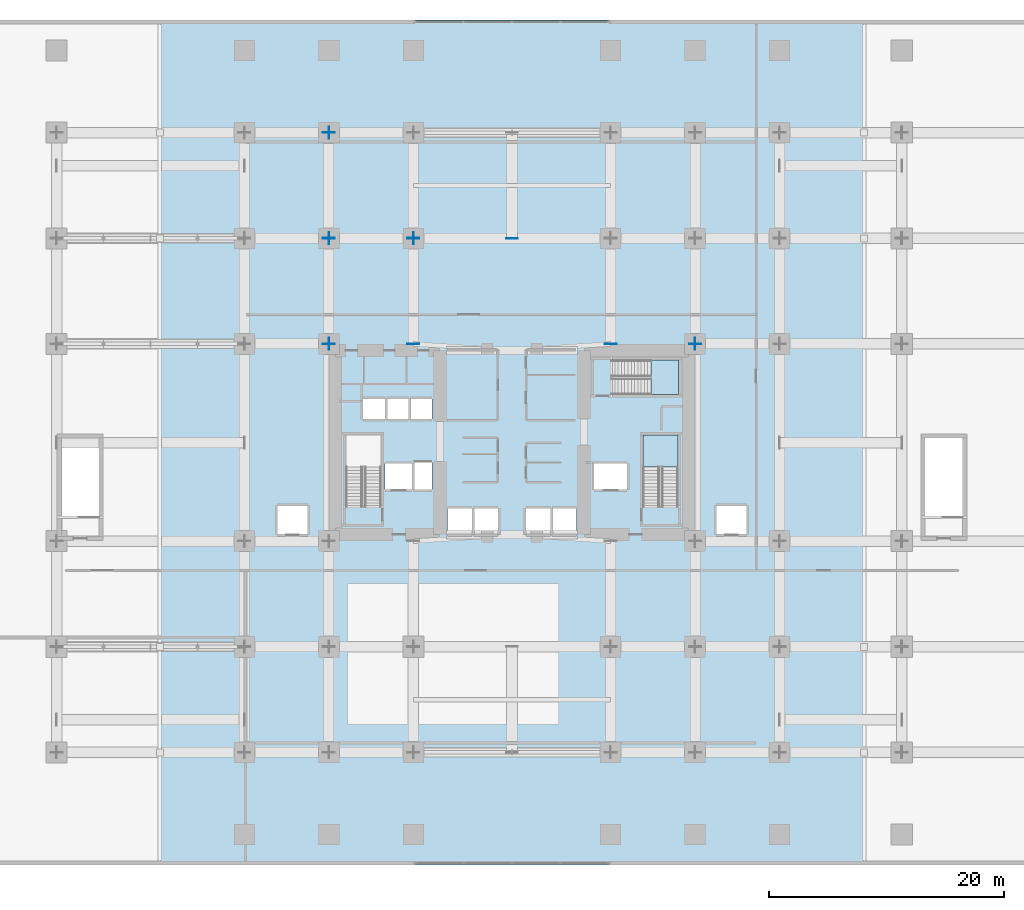
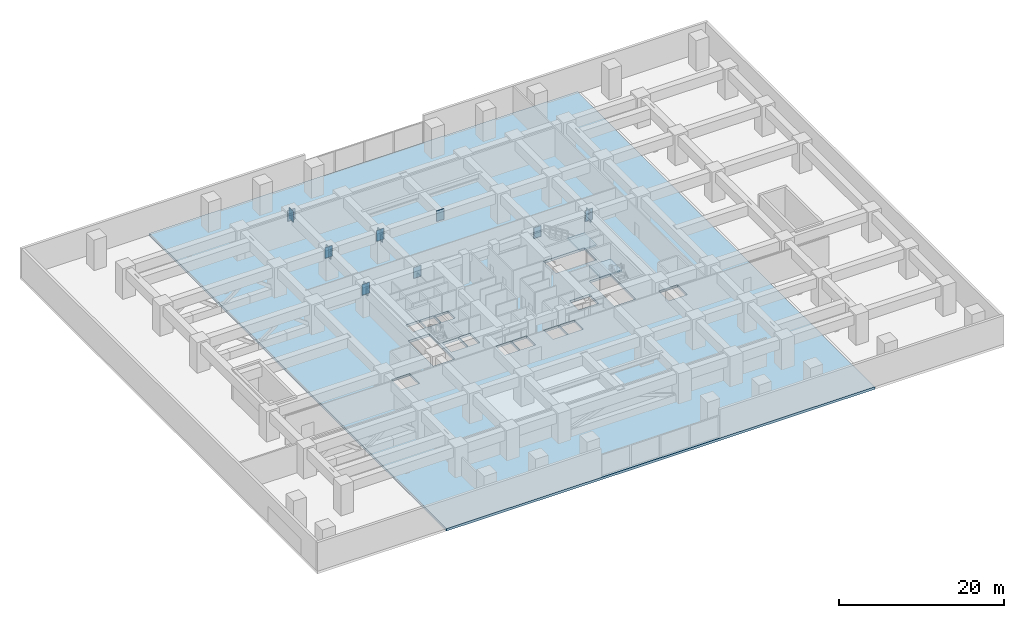
# One storey, part 10 of 25: 20 plates, 3 slabs, 2 elements without a shape of their own.
"""IFC4 building model written with IfcOpenShell, lengths in metres."""

from ifc_helpers import new_model, si_unit, direction, frame, origin, origin_2d, place, context, subcontext, project, spatial, polyline, rectangle, outline, extrude, material, layer, layer_set, type_object, element, aggregate, save


model = new_model("IFC4")

# Units and contexts
model_context = context("Model", 3, precision=1e-05, world=origin(), true_north=direction((0.0, 1.0)))
body_context = subcontext(model_context, "Body", "Model", "MODEL_VIEW")
ifc_project = project(units=[si_unit("LENGTHUNIT", "METRE"), si_unit("AREAUNIT", "SQUARE_METRE"), si_unit("VOLUMEUNIT", "CUBIC_METRE"), si_unit("PLANEANGLEUNIT", "RADIAN"), si_unit("MASSUNIT", "GRAM", prefix="KILO")], contexts=[model_context])

# Site, building, storey
site_placement = place(None, origin())
site = spatial("IfcSite", under=ifc_project, at=site_placement, CompositionType="ELEMENT")
building_placement = place(site_placement, origin())
building = spatial("IfcBuilding", under=site, at=building_placement, Name="Kiyonajd Concourse Tower", CompositionType="ELEMENT")
storey_placement = place(building_placement, frame((0.0, 0.0, 17.10009765625)))
storey = spatial("IfcBuildingStorey", under=building, at=storey_placement, Name="L05", CompositionType="ELEMENT", Elevation=17.10009765625)

# Plates
ifc_material_1 = material(Name="Steel ASTM A572 Grade 50", Category="steel")
ifc_layer_1 = layer(ifc_material_1, 0.031982421875)
ifc_layer_set_1 = layer_set([ifc_layer_1], Name="Steel ASTM A572 Grade 50")
plate_type = type_object("IfcPlateType", Name="PL-CAP-540", PredefinedType="USERDEFINED", material=ifc_layer_set_1)
for number, where, z_axis, x_axis, name in (
    (1, (48.0, 53.388916015625, 2.7197265625), (0.0, 0.0, 1.0), (0.0, -1.0, 0.0), "L05 Transfer Box Cap Plate"),
    (2, (32.410888671875, 44.39990234375, 2.7197265625), (0.0, 0.0, 1.0), (1.0, 0.0, 0.0), "L05 Welded Box Girder End Cap"),
    (3, (63.589111328125, 44.39990234375, 2.7197265625), (0.0, 0.0, 1.0), (-1.0, 0.0, 0.0), "L05 Welded Box Girder End Cap"),
    (4, (32.410888671875, 53.39990234375, 2.7197265625), (0.0, 0.0, 1.0), (1.0, 0.0, 0.0), "L05 Welded Box Girder End Cap"),
    (5, (32.388916015625, 53.39990234375, 2.7197265625), (0.0, 0.0, 1.0), (-1.0, 0.0, 0.0), "L05 Welded Box Girder End Cap"),
    (6, (39.611083984375, 53.39990234375, 2.7197265625), (0.0, 0.0, 1.0), (1.0, 0.0, 0.0), "L05 Welded Box Girder End Cap"),
    (7, (39.589111328125, 53.39990234375, 2.7197265625), (0.0, 0.0, 1.0), (-1.0, 0.0, 0.0), "L05 Welded Box Girder End Cap"),
    (8, (32.410888671875, 62.39990234375, 2.7197265625), (0.0, 0.0, 1.0), (1.0, 0.0, 0.0), "L05 Welded Box Girder End Cap"),
    (9, (32.388916015625, 62.39990234375, 2.7197265625), (0.0, 0.0, 1.0), (-1.0, 0.0, 0.0), "L05 Welded Box Girder End Cap"),
    (10, (32.39990234375, 44.410888671875, 2.7197265625), (0.0, 0.0, 1.0), (0.0, 1.0, 0.0), "L05 Welded Box Girder End Cap"),
    (11, (32.39990234375, 44.388916015625, 2.7197265625), (0.0, 0.0, 1.0), (0.0, -1.0, 0.0), "L05 Welded Box Girder End Cap"),
    (12, (32.39990234375, 53.410888671875, 2.7197265625), (0.0, 0.0, 1.0), (0.0, 1.0, 0.0), "L05 Welded Box Girder End Cap"),
    (13, (32.39990234375, 53.388916015625, 2.7197265625), (0.0, 0.0, 1.0), (0.0, -1.0, 0.0), "L05 Welded Box Girder End Cap"),
    (14, (32.39990234375, 62.410888671875, 2.7197265625), (0.0, 0.0, 1.0), (0.0, 1.0, 0.0), "L05 Welded Box Girder End Cap"),
    (15, (39.60009765625, 44.388916015625, 2.7197265625), (0.0, 0.0, 1.0), (0.0, -1.0, 0.0), "L05 Welded Box Girder End Cap"),
    (16, (39.60009765625, 53.410888671875, 2.7197265625), (0.0, 0.0, 1.0), (0.0, 1.0, 0.0), "L05 Welded Box Girder End Cap"),
    (17, (39.60009765625, 53.388916015625, 2.7197265625), (0.0, 0.0, 1.0), (0.0, -1.0, 0.0), "L05 Welded Box Girder End Cap"),
    (18, (56.39990234375, 44.388916015625, 2.7197265625), (0.0, 0.0, 1.0), (0.0, -1.0, 0.0), "L05 Welded Box Girder End Cap"),
    (19, (63.60009765625, 44.410888671875, 2.7197265625), (0.0, 0.0, 1.0), (0.0, 1.0, 0.0), "L05 Welded Box Girder End Cap"),
    (20, (63.60009765625, 44.388916015625, 2.7197265625), (0.0, 0.0, 1.0), (0.0, -1.0, 0.0), "L05 Welded Box Girder End Cap"),
):
    element("IfcPlate", number, at=place(storey_placement, frame(where, z_axis=z_axis, x_axis=x_axis)), inside=storey, type_object=plate_type, Name=name, ObjectType="CAP PLATE", PredefinedType="USERDEFINED", context=body_context, shape_type="SweptSolid", body=[
        extrude(rectangle(XDim=0.035888671875, YDim=1.02001953125, at=origin_2d()), origin(), (0.0, 0.0, 1.0), 1.590087890625),
    ])

# Stair, slab
ifc_material_2 = material(Name="Concrete C40/50", Category="concrete")
stair_type = type_object("IfcStairType", Name="ST-DLG-26R", PredefinedType="HALF_TURN_STAIR", material=ifc_material_2)
stair_1_placement = place(storey_placement, origin())
stair_1 = element("IfcStair", 21, at=stair_1_placement, inside=storey, type_object=stair_type, Name="L05 Protected Exit Stair ST2", PredefinedType="HALF_TURN_STAIR")
ifc_layer_2 = layer(ifc_material_2, 0.199951171875)
ifc_layer_set_2 = layer_set([ifc_layer_2], Name="Concrete C40/50")
slab_type_1 = type_object("IfcSlabType", Name="SL-LND-200", PredefinedType="LANDING", material=ifc_layer_set_2)
slab_1_placement = place(storey_placement, frame((0.0, 0.0, 2.0498046875)))
slab_1 = element("IfcSlab", 22, at=slab_1_placement, type_object=slab_type_1, Name="ST2 landing 1", PredefinedType="LANDING", context=body_context, shape_type="SweptSolid", body=[
    extrude(outline(polyline([(62.14990234375, 33.909912109375), (62.14990234375, 36.64990234375), (59.14990234375, 36.64990234375), (59.14990234375, 33.909912109375), (62.14990234375, 33.909912109375)])), origin(), (0.0, 0.0, 1.0), 0.2001953125),
])
aggregate(stair_1, [slab_1])

stair_2_placement = place(storey_placement, origin())
stair_2 = element("IfcStair", 23, at=stair_2_placement, inside=storey, type_object=stair_type, Name="L05 Protected Exit Stair ST3", PredefinedType="HALF_TURN_STAIR")
slab_2_placement = place(storey_placement, frame((0.0, 0.0, 2.0498046875)))
slab_2 = element("IfcSlab", 24, at=slab_2_placement, type_object=slab_type_1, Name="ST3 landing 1", PredefinedType="LANDING", context=body_context, shape_type="SweptSolid", body=[
    extrude(outline(polyline([(59.840087890625, 40.080078125), (62.179931640625, 40.080078125), (62.179931640625, 43.02001953125), (59.840087890625, 43.02001953125), (59.840087890625, 40.080078125)])), origin(), (0.0, 0.0, 1.0), 0.2001953125),
])
aggregate(stair_2, [slab_2])

# Slab
ifc_material_3 = material(Name="Concrete C50/60", Category="concrete")
ifc_layer_3 = layer(ifc_material_3, 0.360107421875)
ifc_layer_set_3 = layer_set([ifc_layer_3], Name="Concrete C50/60")
slab_type_2 = type_object("IfcSlabType", Name="SL-XFER-360", PredefinedType="FLOOR", material=ifc_layer_set_3)
slab_3_placement = place(storey_placement, frame((0.0, 0.0, -0.360107421875)))
element("IfcSlab", 25, at=slab_3_placement, inside=storey, type_object=slab_type_2, Name="L05 Central Tower Zone Podium Structural Floor Slab", PredefinedType="FLOOR", context=body_context, shape_type="SweptSolid", body=[
    extrude(outline(polyline([(18.06005859375, 0.0), (77.93994140625, 0.0), (77.93994140625, 72.0), (18.06005859375, 72.0), (18.06005859375, 0.0)]), holes=[polyline([(42.5, 28.199951171875), (42.5, 30.39990234375), (44.60009765625, 30.39990234375), (44.60009765625, 28.199951171875), (42.5, 28.199951171875)]), polyline([(28.0, 28.199951171875), (28.0, 30.60009765625), (30.60009765625, 30.60009765625), (30.60009765625, 28.199951171875), (28.0, 28.199951171875)]), polyline([(37.199951171875, 32.0), (37.199951171875, 34.199951171875), (39.5, 34.199951171875), (39.5, 32.0), (37.199951171875, 32.0)]), polyline([(39.60009765625, 32.0), (39.60009765625, 34.300048828125), (41.199951171875, 34.300048828125), (41.199951171875, 32.0), (39.60009765625, 32.0)]), polyline([(33.85009765625, 30.550048828125), (33.85009765625, 36.64990234375), (36.85009765625, 36.64990234375), (36.85009765625, 30.550048828125), (33.85009765625, 30.550048828125)]), polyline([(35.300048828125, 38.0), (35.300048828125, 39.699951171875), (37.199951171875, 39.699951171875), (37.199951171875, 38.0), (35.300048828125, 38.0)]), polyline([(37.300048828125, 38.0), (37.300048828125, 39.699951171875), (39.199951171875, 39.699951171875), (39.199951171875, 38.0), (37.300048828125, 38.0)]), polyline([(39.300048828125, 38.0), (39.300048828125, 39.699951171875), (41.199951171875, 39.699951171875), (41.199951171875, 38.0), (39.300048828125, 38.0)]), polyline([(44.699951171875, 28.199951171875), (44.699951171875, 30.39990234375), (46.800048828125, 30.39990234375), (46.800048828125, 28.199951171875), (44.699951171875, 28.199951171875)]), polyline([(49.199951171875, 28.199951171875), (49.199951171875, 30.39990234375), (51.300048828125, 30.39990234375), (51.300048828125, 28.199951171875), (49.199951171875, 28.199951171875)]), polyline([(51.39990234375, 28.199951171875), (51.39990234375, 30.39990234375), (53.5, 30.39990234375), (53.5, 28.199951171875), (51.39990234375, 28.199951171875)]), polyline([(65.39990234375, 28.199951171875), (65.39990234375, 30.60009765625), (68.0, 30.60009765625), (68.0, 28.199951171875), (65.39990234375, 28.199951171875)]), polyline([(55.0, 32.0), (55.0, 34.199951171875), (57.800048828125, 34.199951171875), (57.800048828125, 32.0), (55.0, 32.0)]), polyline([(59.14990234375, 36.64990234375), (62.14990234375, 36.64990234375), (62.14990234375, 30.550048828125), (59.14990234375, 30.550048828125), (59.14990234375, 36.64990234375)]), polyline([(62.179931640625, 43.02001953125), (62.179931640625, 40.080078125), (56.47998046875, 40.080078125), (56.47998046875, 43.02001953125), (62.179931640625, 43.02001953125)])]), origin(), (0.0, 0.0, 1.0), 0.360107421875),
])

save(model, "model.ifc")
